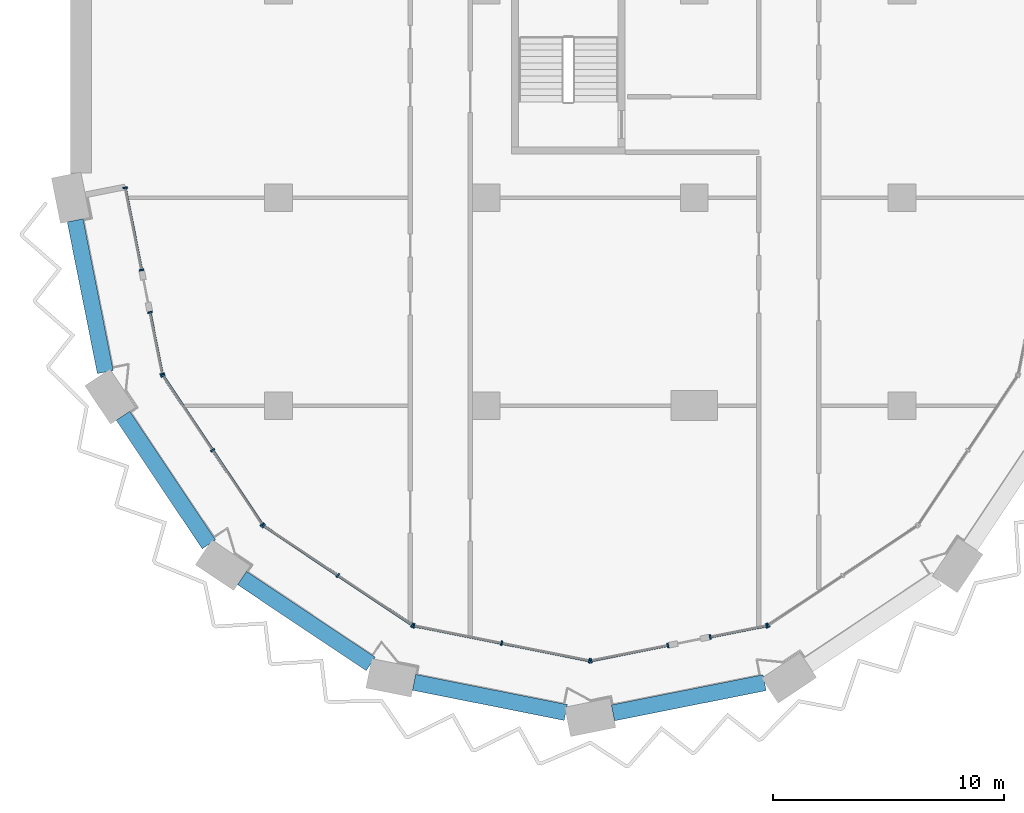
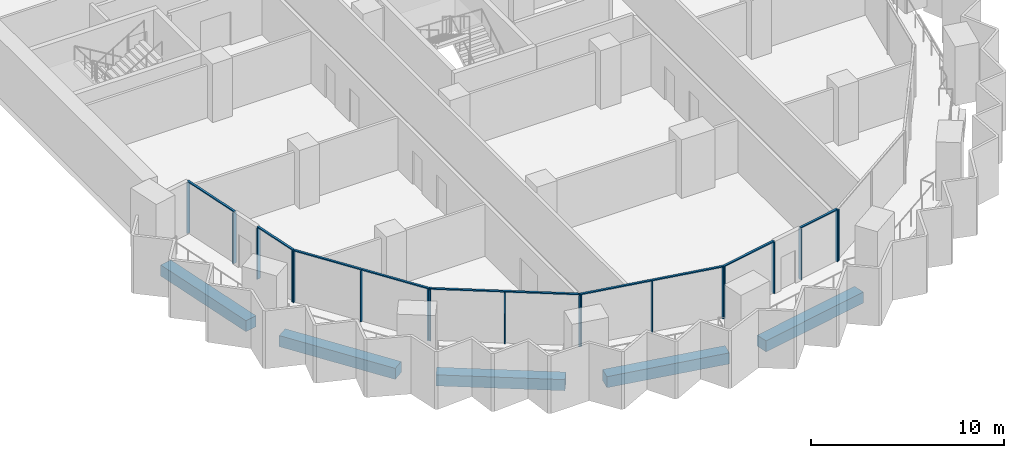
# One storey, part 2 of 22: 25 members, 5 beams, 8 elements without a shape of their own.
"""IFC4 building model written with IfcOpenShell, lengths in metres."""

from ifc_helpers import new_model, si_unit, direction, frame, origin, origin_2d, place, context, subcontext, project, spatial, rectangle, extrude, material, material_profile, profile_set, type_object, element, aggregate, save


model = new_model("IFC4")

# Units and contexts
model_context = context("Model", 3, precision=1e-05, world=origin(), true_north=direction((0.0, 1.0)))
body_context = subcontext(model_context, "Body", "Model", "MODEL_VIEW")
ifc_project = project(units=[si_unit("LENGTHUNIT", "METRE"), si_unit("AREAUNIT", "SQUARE_METRE"), si_unit("VOLUMEUNIT", "CUBIC_METRE"), si_unit("PLANEANGLEUNIT", "RADIAN"), si_unit("MASSUNIT", "GRAM", prefix="KILO")], contexts=[model_context])

# Site, building, storey
site_placement = place(None, origin())
site = spatial("IfcSite", under=ifc_project, at=site_placement, CompositionType="ELEMENT")
building_placement = place(site_placement, origin())
building = spatial("IfcBuilding", under=site, at=building_placement, Name="Hunhe Ridgeline Campus", CompositionType="ELEMENT")
storey_placement = place(building_placement, frame((0.0, 0.0, 156.0)))
storey = spatial("IfcBuildingStorey", under=building, at=storey_placement, Name="L39", CompositionType="ELEMENT", Elevation=156.0)

# Curtain wall, members
ifc_material_1 = material(Name="Aluminium 6063", Category="aluminium")
curtain_wall_type = type_object("IfcCurtainWallType", Name="Curtain wall CW-5", PredefinedType="NOTDEFINED", material=ifc_material_1)
curtain_wall_1_placement = place(storey_placement, origin())
curtain_wall_1 = element("IfcCurtainWall", 1, at=curtain_wall_1_placement, inside=storey, type_object=curtain_wall_type, Name="Curtain wall 01", PredefinedType="NOTDEFINED")
ifc_material_profile_1 = material_profile(ifc_material_1, rectangle(XDim=0.199951171875, YDim=0.070068359375, at=origin_2d()))
ifc_profile_set_1 = profile_set([ifc_material_profile_1], Name="Aluminium 6063")
member_type_1 = type_object("IfcMemberType", Name="CW-5 aluminium mullion", PredefinedType="MULLION", material=ifc_profile_set_1)
member_1_placement = place(storey_placement, frame((2.361572265625, 27.434326171875, 0.0), z_axis=(0.0, 0.0, 1.0), x_axis=(0.980784284924, 0.195095326561, 0.0)))
member_1 = element("IfcMember", 2, at=member_1_placement, type_object=member_type_1, Name="CW-5 mullion 1", PredefinedType="MULLION", context=body_context, shape_type="SweptSolid", body=[
    extrude(rectangle(XDim=0.199951171875, YDim=0.070068359375, at=origin_2d()), origin(), (0.0, 0.0, 1.0), 3.22998046875),
])
member_2_placement = place(storey_placement, frame((3.070068359375, 23.873291015625, 0.0), z_axis=(0.0, 0.0, 1.0), x_axis=(0.980784284924, 0.195095326561, 0.0)))
member_2 = element("IfcMember", 3, at=member_2_placement, type_object=member_type_1, Name="CW-5 mullion 2", PredefinedType="MULLION", context=body_context, shape_type="SweptSolid", body=[
    extrude(rectangle(XDim=0.199951171875, YDim=0.070068359375, at=origin_2d()), origin(), (0.0, 0.0, 1.0), 3.22998046875),
])

curtain_wall_2_placement = place(storey_placement, origin())
curtain_wall_2 = element("IfcCurtainWall", 4, at=curtain_wall_2_placement, inside=storey, type_object=curtain_wall_type, Name="Curtain wall 02", PredefinedType="NOTDEFINED")
member_3_placement = place(storey_placement, frame((3.434814453125, 22.0390625, 0.0), z_axis=(0.0, 0.0, 1.0), x_axis=(0.980784297053, 0.195095265587, 0.0)))
member_3 = element("IfcMember", 5, at=member_3_placement, type_object=member_type_1, Name="CW-5 mullion 1", PredefinedType="MULLION", context=body_context, shape_type="SweptSolid", body=[
    extrude(rectangle(XDim=0.199951171875, YDim=0.070068359375, at=origin_2d()), origin(), (0.0, 0.0, 1.0), 3.22998046875),
])
member_4_placement = place(storey_placement, frame((3.967529296875, 19.36083984375, 0.0), z_axis=(0.0, 0.0, 1.0), x_axis=(0.980784297053, 0.195095265587, 0.0)))
member_4 = element("IfcMember", 6, at=member_4_placement, type_object=member_type_1, Name="CW-5 mullion 2", PredefinedType="MULLION", context=body_context, shape_type="SweptSolid", body=[
    extrude(rectangle(XDim=0.199951171875, YDim=0.070068359375, at=origin_2d()), origin(), (0.0, 0.0, 1.0), 3.22998046875),
])

curtain_wall_3_placement = place(storey_placement, origin())
curtain_wall_3 = element("IfcCurtainWall", 7, at=curtain_wall_3_placement, inside=storey, type_object=curtain_wall_type, Name="Curtain wall 03", PredefinedType="NOTDEFINED")
member_5_placement = place(storey_placement, frame((3.993896484375, 19.29736328125, 0.0), z_axis=(0.0, 0.0, 1.0), x_axis=(0.831469584522, 0.555570274596, 0.0)))
member_5 = element("IfcMember", 8, at=member_5_placement, type_object=member_type_1, Name="CW-5 mullion 1", PredefinedType="MULLION", context=body_context, shape_type="SweptSolid", body=[
    extrude(rectangle(XDim=0.199951171875, YDim=0.070068359375, at=origin_2d()), origin(), (0.0, 0.0, 1.0), 3.22998046875),
])
member_6_placement = place(storey_placement, frame((6.147705078125, 16.07373046875, 0.0), z_axis=(0.0, 0.0, 1.0), x_axis=(0.831469584522, 0.555570274596, 0.0)))
member_6 = element("IfcMember", 9, at=member_6_placement, type_object=member_type_1, Name="CW-5 mullion 2", PredefinedType="MULLION", context=body_context, shape_type="SweptSolid", body=[
    extrude(rectangle(XDim=0.199951171875, YDim=0.070068359375, at=origin_2d()), origin(), (0.0, 0.0, 1.0), 3.22998046875),
])
member_7_placement = place(storey_placement, frame((8.3017578125, 12.850341796875, 0.0), z_axis=(0.0, 0.0, 1.0), x_axis=(0.831469584522, 0.555570274596, 0.0)))
member_7 = element("IfcMember", 10, at=member_7_placement, type_object=member_type_1, Name="CW-5 mullion 3", PredefinedType="MULLION", context=body_context, shape_type="SweptSolid", body=[
    extrude(rectangle(XDim=0.199951171875, YDim=0.070068359375, at=origin_2d()), origin(), (0.0, 0.0, 1.0), 3.22998046875),
])

curtain_wall_4_placement = place(storey_placement, origin())
curtain_wall_4 = element("IfcCurtainWall", 11, at=curtain_wall_4_placement, inside=storey, type_object=curtain_wall_type, Name="Curtain wall 04", PredefinedType="NOTDEFINED")
member_8_placement = place(storey_placement, frame((8.350341796875, 12.8017578125, 0.0), z_axis=(0.0, 0.0, 1.0), x_axis=(0.555570274596, 0.831469584522, 0.0)))
member_8 = element("IfcMember", 12, at=member_8_placement, type_object=member_type_1, Name="CW-5 mullion 1", PredefinedType="MULLION", context=body_context, shape_type="SweptSolid", body=[
    extrude(rectangle(XDim=0.199951171875, YDim=0.070068359375, at=origin_2d()), origin(), (0.0, 0.0, 1.0), 3.22998046875),
])
member_9_placement = place(storey_placement, frame((11.57373046875, 10.647705078125, 0.0), z_axis=(0.0, 0.0, 1.0), x_axis=(0.555570274596, 0.831469584522, 0.0)))
member_9 = element("IfcMember", 13, at=member_9_placement, type_object=member_type_1, Name="CW-5 mullion 2", PredefinedType="MULLION", context=body_context, shape_type="SweptSolid", body=[
    extrude(rectangle(XDim=0.199951171875, YDim=0.070068359375, at=origin_2d()), origin(), (0.0, 0.0, 1.0), 3.22998046875),
])
member_10_placement = place(storey_placement, frame((14.79736328125, 8.493896484375, 0.0), z_axis=(0.0, 0.0, 1.0), x_axis=(0.555570274596, 0.831469584522, 0.0)))
member_10 = element("IfcMember", 14, at=member_10_placement, type_object=member_type_1, Name="CW-5 mullion 3", PredefinedType="MULLION", context=body_context, shape_type="SweptSolid", body=[
    extrude(rectangle(XDim=0.199951171875, YDim=0.070068359375, at=origin_2d()), origin(), (0.0, 0.0, 1.0), 3.22998046875),
])

curtain_wall_5_placement = place(storey_placement, origin())
curtain_wall_5 = element("IfcCurtainWall", 15, at=curtain_wall_5_placement, inside=storey, type_object=curtain_wall_type, Name="Curtain wall 05", PredefinedType="NOTDEFINED")
member_11_placement = place(storey_placement, frame((14.86083984375, 8.467529296875, 0.0), z_axis=(0.0, 0.0, 1.0), x_axis=(0.195090347539, 0.980785275326, 0.0)))
member_11 = element("IfcMember", 16, at=member_11_placement, type_object=member_type_1, Name="CW-5 mullion 1", PredefinedType="MULLION", context=body_context, shape_type="SweptSolid", body=[
    extrude(rectangle(XDim=0.199951171875, YDim=0.070068359375, at=origin_2d()), origin(), (0.0, 0.0, 1.0), 3.22998046875),
])
member_12_placement = place(storey_placement, frame((18.663330078125, 7.711181640625, 0.0), z_axis=(0.0, 0.0, 1.0), x_axis=(0.195090347539, 0.980785275326, 0.0)))
member_12 = element("IfcMember", 17, at=member_12_placement, type_object=member_type_1, Name="CW-5 mullion 2", PredefinedType="MULLION", context=body_context, shape_type="SweptSolid", body=[
    extrude(rectangle(XDim=0.199951171875, YDim=0.070068359375, at=origin_2d()), origin(), (0.0, 0.0, 1.0), 3.22998046875),
])
member_13_placement = place(storey_placement, frame((22.465576171875, 6.954833984375, 0.0), z_axis=(0.0, 0.0, 1.0), x_axis=(0.195090347539, 0.980785275326, 0.0)))
member_13 = element("IfcMember", 18, at=member_13_placement, type_object=member_type_1, Name="CW-5 mullion 3", PredefinedType="MULLION", context=body_context, shape_type="SweptSolid", body=[
    extrude(rectangle(XDim=0.199951171875, YDim=0.070068359375, at=origin_2d()), origin(), (0.0, 0.0, 1.0), 3.22998046875),
])

curtain_wall_6_placement = place(storey_placement, origin())
curtain_wall_6 = element("IfcCurtainWall", 19, at=curtain_wall_6_placement, inside=storey, type_object=curtain_wall_type, Name="Curtain wall 06", PredefinedType="NOTDEFINED")
member_14_placement = place(storey_placement, frame((22.534423828125, 6.954833984375, 0.0), z_axis=(0.0, 0.0, 1.0), x_axis=(-0.19509037034, 0.980785270791, 0.0)))
member_14 = element("IfcMember", 20, at=member_14_placement, type_object=member_type_1, Name="CW-5 mullion 1", PredefinedType="MULLION", context=body_context, shape_type="SweptSolid", body=[
    extrude(rectangle(XDim=0.199951171875, YDim=0.070068359375, at=origin_2d()), origin(), (0.0, 0.0, 1.0), 3.22998046875),
])
member_15_placement = place(storey_placement, frame((25.861083984375, 7.61669921875, 0.0), z_axis=(0.0, 0.0, 1.0), x_axis=(-0.19509037034, 0.980785270791, 0.0)))
member_15 = element("IfcMember", 21, at=member_15_placement, type_object=member_type_1, Name="CW-5 mullion 2", PredefinedType="MULLION", context=body_context, shape_type="SweptSolid", body=[
    extrude(rectangle(XDim=0.199951171875, YDim=0.070068359375, at=origin_2d()), origin(), (0.0, 0.0, 1.0), 3.22998046875),
])

curtain_wall_7_placement = place(storey_placement, origin())
curtain_wall_7 = element("IfcCurtainWall", 22, at=curtain_wall_7_placement, inside=storey, type_object=curtain_wall_type, Name="Curtain wall 07", PredefinedType="NOTDEFINED")
member_16_placement = place(storey_placement, frame((27.695068359375, 7.9814453125, 0.0), z_axis=(0.0, 0.0, 1.0), x_axis=(-0.195090514627, 0.980785242091, 0.0)))
member_16 = element("IfcMember", 23, at=member_16_placement, type_object=member_type_1, Name="CW-5 mullion 1", PredefinedType="MULLION", context=body_context, shape_type="SweptSolid", body=[
    extrude(rectangle(XDim=0.199951171875, YDim=0.070068359375, at=origin_2d()), origin(), (0.0, 0.0, 1.0), 3.22998046875),
])
member_17_placement = place(storey_placement, frame((30.13916015625, 8.467529296875, 0.0), z_axis=(0.0, 0.0, 1.0), x_axis=(-0.195090514627, 0.980785242091, 0.0)))
member_17 = element("IfcMember", 24, at=member_17_placement, type_object=member_type_1, Name="CW-5 mullion 2", PredefinedType="MULLION", context=body_context, shape_type="SweptSolid", body=[
    extrude(rectangle(XDim=0.199951171875, YDim=0.070068359375, at=origin_2d()), origin(), (0.0, 0.0, 1.0), 3.22998046875),
])

# Curtain wall, member
curtain_wall_8_placement = place(storey_placement, origin())
curtain_wall_8 = element("IfcCurtainWall", 25, at=curtain_wall_8_placement, inside=storey, type_object=curtain_wall_type, Name="Curtain wall 08", PredefinedType="NOTDEFINED")
member_18_placement = place(storey_placement, frame((30.20263671875, 8.493896484375, 0.0), z_axis=(0.0, 0.0, 1.0), x_axis=(-0.555570274596, 0.831469584522, 0.0)))
member_18 = element("IfcMember", 26, at=member_18_placement, type_object=member_type_1, Name="CW-5 mullion 1", PredefinedType="MULLION", context=body_context, shape_type="SweptSolid", body=[
    extrude(rectangle(XDim=0.199951171875, YDim=0.070068359375, at=origin_2d()), origin(), (0.0, 0.0, 1.0), 3.22998046875),
])
aggregate(curtain_wall_8, [member_18])

# Member
ifc_material_profile_2 = material_profile(ifc_material_1, rectangle(XDim=0.1201171875, YDim=0.070068359375, at=origin_2d()))
ifc_profile_set_2 = profile_set([ifc_material_profile_2], Name="Aluminium 6063")
member_type_2 = type_object("IfcMemberType", Name="CW-5 aluminium transom", PredefinedType="USERDEFINED", material=ifc_profile_set_2)
member_19_placement = place(storey_placement, frame((2.354736328125, 27.46875, 3.264892578125), z_axis=(0.195126549745, -0.980778073564, 0.0), x_axis=(0.980778073564, 0.195126549745, 0.0)))
member_19 = element("IfcMember", 27, at=member_19_placement, type_object=member_type_2, Name="CW-5 transom 1", ObjectType="TRANSOM", PredefinedType="USERDEFINED", context=body_context, shape_type="SweptSolid", body=[
    extrude(rectangle(XDim=0.1201171875, YDim=0.070068359375, at=origin_2d()), origin(), (0.0, 0.0, 1.0), 3.700927734375),
])

aggregate(curtain_wall_1, [member_19, member_1, member_2])

member_20_placement = place(storey_placement, frame((3.427978515625, 22.073486328125, 3.264892578125), z_axis=(0.195076742145, -0.98078798151, 0.0), x_axis=(0.98078798151, 0.195076742145, 0.0)))
member_20 = element("IfcMember", 28, at=member_20_placement, type_object=member_type_2, Name="CW-5 transom 1", ObjectType="TRANSOM", PredefinedType="USERDEFINED", context=body_context, shape_type="SweptSolid", body=[
    extrude(rectangle(XDim=0.1201171875, YDim=0.070068359375, at=origin_2d()), origin(), (0.0, 0.0, 1.0), 2.80078125),
])

aggregate(curtain_wall_2, [member_20, member_3, member_4])

member_21_placement = place(storey_placement, frame((3.974365234375, 19.326416015625, 3.264892578125), z_axis=(0.5555640203, -0.831473763475, 0.0), x_axis=(0.831473763475, 0.5555640203, 0.0)))
member_21 = element("IfcMember", 29, at=member_21_placement, type_object=member_type_2, Name="CW-5 transom 1", ObjectType="TRANSOM", PredefinedType="USERDEFINED", context=body_context, shape_type="SweptSolid", body=[
    extrude(rectangle(XDim=0.1201171875, YDim=0.070068359375, at=origin_2d()), origin(), (0.0, 0.0, 1.0), 7.823974609375),
])

aggregate(curtain_wall_3, [member_21, member_5, member_6, member_7])

member_22_placement = place(storey_placement, frame((8.321044921875, 12.821044921875, 3.264892578125), z_axis=(0.831473763475, -0.5555640203, 0.0), x_axis=(0.5555640203, 0.831473763475, 0.0)))
member_22 = element("IfcMember", 30, at=member_22_placement, type_object=member_type_2, Name="CW-5 transom 1", ObjectType="TRANSOM", PredefinedType="USERDEFINED", context=body_context, shape_type="SweptSolid", body=[
    extrude(rectangle(XDim=0.1201171875, YDim=0.070068359375, at=origin_2d()), origin(), (0.0, 0.0, 1.0), 7.823974609375),
])

aggregate(curtain_wall_4, [member_22, member_8, member_9, member_10])

member_23_placement = place(storey_placement, frame((14.826416015625, 8.474365234375, 3.264892578125), z_axis=(0.980785367689, -0.195089883198, 0.0), x_axis=(0.195089883198, 0.980785367689, 0.0)))
member_23 = element("IfcMember", 31, at=member_23_placement, type_object=member_type_2, Name="CW-5 transom 1", ObjectType="TRANSOM", PredefinedType="USERDEFINED", context=body_context, shape_type="SweptSolid", body=[
    extrude(rectangle(XDim=0.1201171875, YDim=0.070068359375, at=origin_2d()), origin(), (0.0, 0.0, 1.0), 7.823974609375),
])

aggregate(curtain_wall_5, [member_23, member_11, member_12, member_13])

member_24_placement = place(storey_placement, frame((22.5, 6.947998046875, 3.264892578125), z_axis=(0.980778171596, 0.195126057004, 0.0), x_axis=(-0.195126057004, 0.980778171596, 0.0)))
member_24 = element("IfcMember", 32, at=member_24_placement, type_object=member_type_2, Name="CW-5 transom 1", ObjectType="TRANSOM", PredefinedType="USERDEFINED", context=body_context, shape_type="SweptSolid", body=[
    extrude(rectangle(XDim=0.1201171875, YDim=0.070068359375, at=origin_2d()), origin(), (0.0, 0.0, 1.0), 3.462158203125),
])

aggregate(curtain_wall_6, [member_24, member_14, member_15])

member_25_placement = place(storey_placement, frame((27.660888671875, 7.974609375, 3.264892578125), z_axis=(0.980789038007, 0.195071430315, 0.0), x_axis=(-0.195071430315, 0.980789038007, 0.0)))
member_25 = element("IfcMember", 33, at=member_25_placement, type_object=member_type_2, Name="CW-5 transom 1", ObjectType="TRANSOM", PredefinedType="USERDEFINED", context=body_context, shape_type="SweptSolid", body=[
    extrude(rectangle(XDim=0.1201171875, YDim=0.070068359375, at=origin_2d()), origin(), (0.0, 0.0, 1.0), 2.56201171875),
])

aggregate(curtain_wall_7, [member_25, member_16, member_17])

# Beams
ifc_material_2 = material(Name="Concrete C60", Category="concrete")
ifc_material_profile_3 = material_profile(ifc_material_2, rectangle(XDim=0.699951171875, YDim=0.699951171875, at=origin_2d()))
ifc_profile_set_3 = profile_set([ifc_material_profile_3], Name="Concrete C60")
beam_type = type_object("IfcBeamType", Name="RC spandrel beam 700x700 Concrete C60", PredefinedType="SPANDREL", material=ifc_profile_set_3)
for number, where, z_axis, x_axis, name in (
    (34, (0.195068359375, 26.019287109375, -0.60009765625), (0.195078418929, -0.980787647999, 0.0), (0.980787647999, 0.195078418929, 0.0), "Spandrel beam B2-1 L39"),
    (35, (2.268310546875, 17.55810546875, -0.60009765625), (0.555566447474, -0.831472141711, 0.0), (0.831472141711, 0.555566447474, 0.0), "Spandrel beam B2-2 L39"),
    (36, (7.421630859375, 10.534423828125, -0.60009765625), (0.831472141711, -0.555566447474, 0.0), (0.555566447474, 0.831472141711, 0.0), "Spandrel beam B2-3 L39"),
    (37, (14.870361328125, 6.017578125, -0.60009765625), (0.980787647999, -0.195078418929, 0.0), (0.195078418929, 0.980787647999, 0.0), "Spandrel beam B2-4 L39"),
    (38, (23.480712890625, 4.695068359375, -0.60009765625), (0.980787647999, 0.195078418929, 0.0), (-0.195078418929, 0.980787647999, 0.0), "Spandrel beam B2-5 L39"),
):
    element("IfcBeam", number, at=place(storey_placement, frame(where, z_axis=z_axis, x_axis=x_axis)), inside=storey, type_object=beam_type, Name=name, PredefinedType="SPANDREL", context=body_context, shape_type="SweptSolid", body=[
        extrude(rectangle(XDim=0.699951171875, YDim=0.699951171875, at=origin_2d()), origin(), (0.0, 0.0, 1.0), 6.69677734375),
    ])

save(model, "model.ifc")
